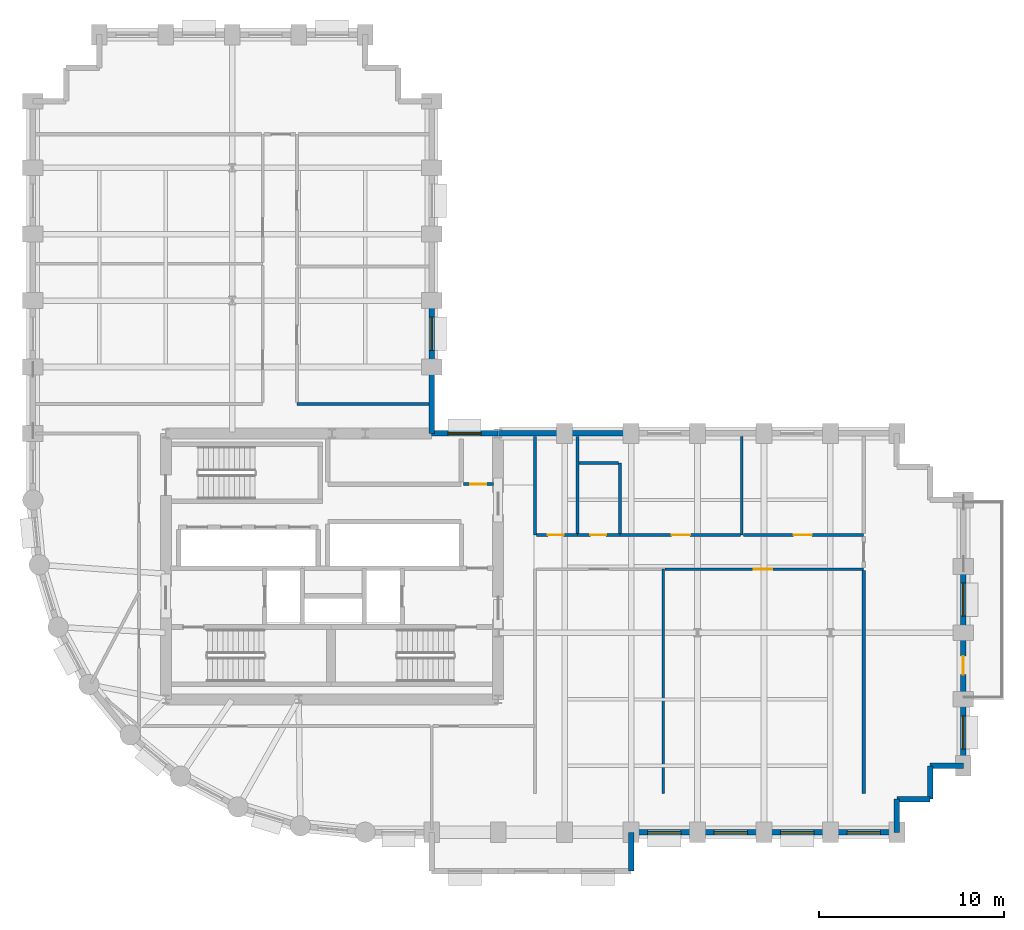
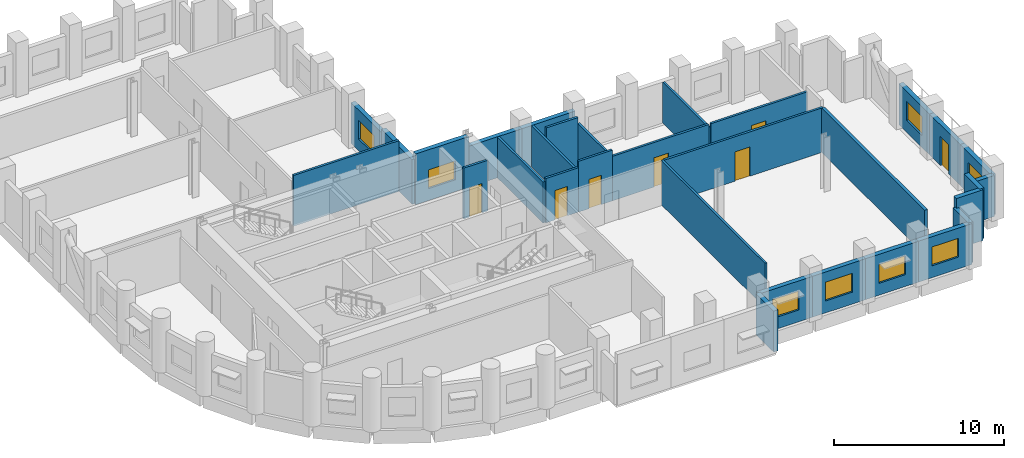
# One storey, part 5 of 10: 31 walls, 8 windows, 7 doors, 15 openings.
"""IFC4 building model written with IfcOpenShell, lengths in metres."""

from ifc_helpers import new_model, si_unit, direction, frame, frame_2d, origin, place, context, subcontext, project, spatial, rectangle, extrude, material, layer, layer_set, type_object, element, fill, save


model = new_model("IFC4")

# Units and contexts
model_context = context("Model", 3, precision=1e-05, world=origin(), true_north=direction((0.0, 1.0)))
body_context = subcontext(model_context, "Body", "Model", "MODEL_VIEW")
ifc_project = project(units=[si_unit("LENGTHUNIT", "METRE"), si_unit("AREAUNIT", "SQUARE_METRE"), si_unit("VOLUMEUNIT", "CUBIC_METRE"), si_unit("PLANEANGLEUNIT", "RADIAN"), si_unit("MASSUNIT", "GRAM", prefix="KILO")], contexts=[model_context])

# Site, building, storey
site_placement = place(None, origin())
site = spatial("IfcSite", under=ifc_project, at=site_placement, CompositionType="ELEMENT")
building_placement = place(site_placement, origin())
building = spatial("IfcBuilding", under=site, at=building_placement, Name="Solnavia Interchange Tower", CompositionType="ELEMENT")
storey_placement = place(building_placement, frame((0.0, 0.0, 103.5)))
storey = spatial("IfcBuildingStorey", under=building, at=storey_placement, Name="L25", CompositionType="ELEMENT", Elevation=103.5)

# Walls
ifc_material_1 = material(Name="Gypsum Acoustic Twin-Stud & Mineral Wool", Category="gypsum")
ifc_layer_1 = layer(ifc_material_1, 0.199951171875)
ifc_layer_set_1 = layer_set([ifc_layer_1], Name="Gypsum Acoustic Twin-Stud & Mineral Wool")
wall_type_1 = type_object("IfcWallType", Name="Wall-ApartmentParty-200", PredefinedType="PARTITIONING", material=ifc_layer_set_1)
wall_1_placement = place(storey_placement, frame((52.199951171875, 5.699951171875, 0.0), z_axis=(0.0, 0.0, 1.0), x_axis=(0.0, 1.0, 0.0)))
element("IfcWall", 1, at=wall_1_placement, inside=storey, type_object=wall_type_1, Name="PTW-L25-22 Interior partition wall", PredefinedType="PARTITIONING", context=body_context, shape_type="SweptSolid", body=[
    extrude(rectangle(XDim=12.071044921875, YDim=0.199951171875, at=frame_2d((6.03564453125, 0.0))), origin(), (0.0, 0.0, 1.0), 3.179931640625),
])
ifc_material_2 = material(Name="Concrete C40/50", Category="concrete")
ifc_layer_2 = layer(ifc_material_2, 0.300048828125)
ifc_layer_set_2 = layer_set([ifc_layer_2], Name="Concrete C40/50")
wall_type_2 = type_object("IfcWallType", Name="Wall-ExtSpandrel-300", PredefinedType="STANDARD", material=ifc_layer_set_2)
wall_2_placement = place(storey_placement, frame((39.60009765625, 3.60009765625, 0.0), z_axis=(0.0, 0.0, 1.0), x_axis=(0.0, -1.0, 0.0)))
element("IfcWall", 2, at=wall_2_placement, inside=storey, type_object=wall_type_2, Name="EXW-L25-06 Exterior precast spandrel wall", PredefinedType="STANDARD", context=body_context, shape_type="SweptSolid", body=[
    extrude(rectangle(XDim=2.10009765625, YDim=0.300048828125, at=frame_2d((1.050048828125, 0.0))), origin(), (0.0, 0.0, 1.0), 2.929931640625),
])

# Wall, opening, window
wall_3_placement = place(storey_placement, frame((43.199951171875, 3.60009765625, 0.0), z_axis=(0.0, 0.0, 1.0), x_axis=(-1.0, 0.0, 0.0)))
wall_3 = element("IfcWall", 3, at=wall_3_placement, inside=storey, type_object=wall_type_2, Name="EXW-L25-07 Exterior precast spandrel wall", PredefinedType="STANDARD", context=body_context, shape_type="SweptSolid", body=[
    extrude(rectangle(XDim=3.599853515625, YDim=0.300048828125, at=frame_2d((1.7998046875, 0.0))), origin(), (0.0, 0.0, 1.0), 2.929931640625),
])
opening_1_placement = place(wall_3_placement, frame((0.89990234375, 0.0, 0.85009765625)))
opening_1 = element("IfcOpeningElement", 4, at=opening_1_placement, cuts=wall_3, Name="Opening WIN-02", PredefinedType="OPENING", context=body_context, shape_type="SweptSolid", body=[
    extrude(rectangle(XDim=1.800048828125, YDim=1.35009765625, at=frame_2d((0.89990234375, 0.675048828125))), frame((0.0, 0.16015625, 0.0), z_axis=(0.0, -1.0, 0.0), x_axis=(1.0, 0.0, 0.0)), (0.0, 0.0, 1.0), 0.320068359375),
])
ifc_material_3 = material(Name="Thermal-Break Aluminium & Low-E Glass", Category="aluminium")
window_type = type_object("IfcWindowType", Name="Window-Ribbon-1800x1350", PartitioningType="SINGLE_PANEL", PredefinedType="WINDOW", material=ifc_material_3)
window_1_placement = place(opening_1_placement, origin())
window_1 = element("IfcWindow", 5, at=window_1_placement, inside=storey, type_object=window_type, Name="WIN-L25-07 Facade ribbon window", OverallHeight=1.35009765625, OverallWidth=1.800048828125, PartitioningType="SINGLE_PANEL", PredefinedType="WINDOW", context=body_context, shape_type="SweptSolid", body=[
    extrude(rectangle(XDim=1.800048828125, YDim=1.35009765625, at=frame_2d((0.89990234375, 0.675048828125))), frame((0.0, 0.030029296875, 0.0), z_axis=(0.0, -1.0, 0.0), x_axis=(1.0, 0.0, 0.0)), (0.0, 0.0, 1.0), 0.06005859375),
])
fill(opening_1, window_1)

wall_4_placement = place(storey_placement, frame((46.800048828125, 3.60009765625, 0.0), z_axis=(0.0, 0.0, 1.0), x_axis=(-1.0, 0.0, 0.0)))
wall_4 = element("IfcWall", 6, at=wall_4_placement, inside=storey, type_object=wall_type_2, Name="EXW-L25-08 Exterior precast spandrel wall", PredefinedType="STANDARD", context=body_context, shape_type="SweptSolid", body=[
    extrude(rectangle(XDim=3.60009765625, YDim=0.300048828125, at=frame_2d((1.800048828125, 0.0))), origin(), (0.0, 0.0, 1.0), 2.929931640625),
])
opening_2_placement = place(wall_4_placement, frame((0.89990234375, 0.0, 0.85009765625)))
opening_2 = element("IfcOpeningElement", 7, at=opening_2_placement, cuts=wall_4, Name="Opening WIN-02", PredefinedType="OPENING", context=body_context, shape_type="SweptSolid", body=[
    extrude(rectangle(XDim=1.800048828125, YDim=1.35009765625, at=frame_2d((0.89990234375, 0.675048828125))), frame((0.0, 0.16015625, 0.0), z_axis=(0.0, -1.0, 0.0), x_axis=(1.0, 0.0, 0.0)), (0.0, 0.0, 1.0), 0.320068359375),
])
window_2_placement = place(opening_2_placement, origin())
window_2 = element("IfcWindow", 8, at=window_2_placement, inside=storey, type_object=window_type, Name="WIN-L25-08 Facade ribbon window", OverallHeight=1.35009765625, OverallWidth=1.800048828125, PartitioningType="SINGLE_PANEL", PredefinedType="WINDOW", context=body_context, shape_type="SweptSolid", body=[
    extrude(rectangle(XDim=1.800048828125, YDim=1.35009765625, at=frame_2d((0.89990234375, 0.675048828125))), frame((0.0, 0.030029296875, 0.0), z_axis=(0.0, -1.0, 0.0), x_axis=(1.0, 0.0, 0.0)), (0.0, 0.0, 1.0), 0.06005859375),
])
fill(opening_2, window_2)

wall_5_placement = place(storey_placement, frame((50.39990234375, 3.60009765625, 0.0), z_axis=(0.0, 0.0, 1.0), x_axis=(-1.0, 0.0, 0.0)))
wall_5 = element("IfcWall", 9, at=wall_5_placement, inside=storey, type_object=wall_type_2, Name="EXW-L25-09 Exterior precast spandrel wall", PredefinedType="STANDARD", context=body_context, shape_type="SweptSolid", body=[
    extrude(rectangle(XDim=3.599853515625, YDim=0.300048828125, at=frame_2d((1.7998046875, 0.0))), origin(), (0.0, 0.0, 1.0), 2.929931640625),
])
opening_3_placement = place(wall_5_placement, frame((0.89990234375, 0.0, 0.85009765625)))
opening_3 = element("IfcOpeningElement", 10, at=opening_3_placement, cuts=wall_5, Name="Opening WIN-02", PredefinedType="OPENING", context=body_context, shape_type="SweptSolid", body=[
    extrude(rectangle(XDim=1.800048828125, YDim=1.35009765625, at=frame_2d((0.89990234375, 0.675048828125))), frame((0.0, 0.16015625, 0.0), z_axis=(0.0, -1.0, 0.0), x_axis=(1.0, 0.0, 0.0)), (0.0, 0.0, 1.0), 0.320068359375),
])
window_3_placement = place(opening_3_placement, origin())
window_3 = element("IfcWindow", 11, at=window_3_placement, inside=storey, type_object=window_type, Name="WIN-L25-09 Facade ribbon window", OverallHeight=1.35009765625, OverallWidth=1.800048828125, PartitioningType="SINGLE_PANEL", PredefinedType="WINDOW", context=body_context, shape_type="SweptSolid", body=[
    extrude(rectangle(XDim=1.800048828125, YDim=1.35009765625, at=frame_2d((0.89990234375, 0.675048828125))), frame((0.0, 0.030029296875, 0.0), z_axis=(0.0, -1.0, 0.0), x_axis=(1.0, 0.0, 0.0)), (0.0, 0.0, 1.0), 0.06005859375),
])
fill(opening_3, window_3)

wall_6_placement = place(storey_placement, frame((54.0, 3.60009765625, 0.0), z_axis=(0.0, 0.0, 1.0), x_axis=(-1.0, 0.0, 0.0)))
wall_6 = element("IfcWall", 12, at=wall_6_placement, inside=storey, type_object=wall_type_2, Name="EXW-L25-10 Exterior precast spandrel wall", PredefinedType="STANDARD", context=body_context, shape_type="SweptSolid", body=[
    extrude(rectangle(XDim=3.60009765625, YDim=0.300048828125, at=frame_2d((1.800048828125, 0.0))), origin(), (0.0, 0.0, 1.0), 2.929931640625),
])
opening_4_placement = place(wall_6_placement, frame((0.89990234375, 0.0, 0.85009765625)))
opening_4 = element("IfcOpeningElement", 13, at=opening_4_placement, cuts=wall_6, Name="Opening WIN-02", PredefinedType="OPENING", context=body_context, shape_type="SweptSolid", body=[
    extrude(rectangle(XDim=1.800048828125, YDim=1.35009765625, at=frame_2d((0.89990234375, 0.675048828125))), frame((0.0, 0.16015625, 0.0), z_axis=(0.0, -1.0, 0.0), x_axis=(1.0, 0.0, 0.0)), (0.0, 0.0, 1.0), 0.320068359375),
])
window_4_placement = place(opening_4_placement, origin())
window_4 = element("IfcWindow", 14, at=window_4_placement, inside=storey, type_object=window_type, Name="WIN-L25-10 Facade ribbon window", OverallHeight=1.35009765625, OverallWidth=1.800048828125, PartitioningType="SINGLE_PANEL", PredefinedType="WINDOW", context=body_context, shape_type="SweptSolid", body=[
    extrude(rectangle(XDim=1.800048828125, YDim=1.35009765625, at=frame_2d((0.89990234375, 0.675048828125))), frame((0.0, 0.030029296875, 0.0), z_axis=(0.0, -1.0, 0.0), x_axis=(1.0, 0.0, 0.0)), (0.0, 0.0, 1.0), 0.06005859375),
])
fill(opening_4, window_4)

# Walls
wall_7_placement = place(storey_placement, frame((54.0, 5.39990234375, 0.0), z_axis=(0.0, 0.0, 1.0), x_axis=(0.0, -1.0, 0.0)))
element("IfcWall", 15, at=wall_7_placement, inside=storey, type_object=wall_type_2, Name="EXW-L25-11 Exterior precast spandrel wall", PredefinedType="STANDARD", context=body_context, shape_type="SweptSolid", body=[
    extrude(rectangle(XDim=1.7998046875, YDim=0.300048828125, at=frame_2d((0.89990234375, 0.0))), origin(), (0.0, 0.0, 1.0), 2.929931640625),
])
for number, where, z_axis, x_axis, name in (
    (16, (55.800048828125, 5.39990234375, 0.0), (0.0, 0.0, 1.0), (-1.0, 0.0, 0.0), "EXW-L25-12 Exterior precast spandrel wall"),
    (17, (55.800048828125, 7.199951171875, 0.0), (0.0, 0.0, 1.0), (0.0, -1.0, 0.0), "EXW-L25-13 Exterior precast spandrel wall"),
):
    element("IfcWall", number, at=place(storey_placement, frame(where, z_axis=z_axis, x_axis=x_axis)), inside=storey, type_object=wall_type_2, Name=name, PredefinedType="STANDARD", context=body_context, shape_type="SweptSolid", body=[
        extrude(rectangle(XDim=1.800048828125, YDim=0.300048828125, at=frame_2d((0.89990234375, 0.0))), origin(), (0.0, 0.0, 1.0), 3.635009765625),
    ])
wall_8_placement = place(storey_placement, frame((57.60009765625, 7.199951171875, 0.0), z_axis=(0.0, 0.0, 1.0), x_axis=(-1.0, 0.0, 0.0)))
element("IfcWall", 18, at=wall_8_placement, inside=storey, type_object=wall_type_2, Name="EXW-L25-14 Exterior precast spandrel wall", PredefinedType="STANDARD", context=body_context, shape_type="SweptSolid", body=[
    extrude(rectangle(XDim=1.800048828125, YDim=0.300048828125, at=frame_2d((0.89990234375, 0.0))), origin(), (0.0, 0.0, 1.0), 2.929931640625),
])

# Wall, opening, window
wall_9_placement = place(storey_placement, frame((57.60009765625, 10.800048828125, 0.0), z_axis=(0.0, 0.0, 1.0), x_axis=(0.0, -1.0, 0.0)))
wall_9 = element("IfcWall", 19, at=wall_9_placement, inside=storey, type_object=wall_type_2, Name="EXW-L25-15 Exterior precast spandrel wall", PredefinedType="STANDARD", context=body_context, shape_type="SweptSolid", body=[
    extrude(rectangle(XDim=3.60009765625, YDim=0.300048828125, at=frame_2d((1.800048828125, 0.0))), origin(), (0.0, 0.0, 1.0), 2.929931640625),
])
opening_5_placement = place(wall_9_placement, frame((0.89990234375, 0.0, 0.85009765625)))
opening_5 = element("IfcOpeningElement", 20, at=opening_5_placement, cuts=wall_9, Name="Opening WIN-02", PredefinedType="OPENING", context=body_context, shape_type="SweptSolid", body=[
    extrude(rectangle(XDim=1.800048828125, YDim=1.35009765625, at=frame_2d((0.89990234375, 0.675048828125))), frame((0.0, 0.16015625, 0.0), z_axis=(0.0, -1.0, 0.0), x_axis=(1.0, 0.0, 0.0)), (0.0, 0.0, 1.0), 0.320068359375),
])
window_5_placement = place(opening_5_placement, origin())
window_5 = element("IfcWindow", 21, at=window_5_placement, inside=storey, type_object=window_type, Name="WIN-L25-15 Facade ribbon window", OverallHeight=1.35009765625, OverallWidth=1.800048828125, PartitioningType="SINGLE_PANEL", PredefinedType="WINDOW", context=body_context, shape_type="SweptSolid", body=[
    extrude(rectangle(XDim=1.800048828125, YDim=1.35009765625, at=frame_2d((0.89990234375, 0.675048828125))), frame((0.0, 0.030029296875, 0.0), z_axis=(0.0, -1.0, 0.0), x_axis=(1.0, 0.0, 0.0)), (0.0, 0.0, 1.0), 0.06005859375),
])
fill(opening_5, window_5)

# Wall, opening, door
wall_10_placement = place(storey_placement, frame((57.60009765625, 14.39990234375, 0.0), z_axis=(0.0, 0.0, 1.0), x_axis=(0.0, -1.0, 0.0)))
wall_10 = element("IfcWall", 22, at=wall_10_placement, inside=storey, type_object=wall_type_2, Name="EXW-L25-16 Exterior precast spandrel wall", PredefinedType="STANDARD", context=body_context, shape_type="SweptSolid", body=[
    extrude(rectangle(XDim=3.599853515625, YDim=0.300048828125, at=frame_2d((1.7998046875, 0.0))), origin(), (0.0, 0.0, 1.0), 2.929931640625),
])
opening_6_placement = place(wall_10_placement, frame((1.260986328125, 0.0, 0.0)))
opening_6 = element("IfcOpeningElement", 23, at=opening_6_placement, cuts=wall_10, Name="Opening EXD-05", PredefinedType="OPENING", context=body_context, shape_type="SweptSolid", body=[
    extrude(rectangle(XDim=1.0, YDim=2.10009765625, at=frame_2d((0.5, 1.050048828125))), frame((0.0, 0.16015625, 0.0), z_axis=(0.0, -1.0, 0.0), x_axis=(1.0, 0.0, 0.0)), (0.0, 0.0, 1.0), 0.320068359375),
])
ifc_material_4 = material(Name="Thermally Broken Aluminium & Laminated Glass", Category="aluminium")
door_type_1 = type_object("IfcDoorType", Name="Door-TerraceSingle-1000x2100", OperationType="SINGLE_SWING_LEFT", PredefinedType="DOOR", material=ifc_material_4)
door_1_placement = place(opening_6_placement, origin())
door_1 = element("IfcDoor", 24, at=door_1_placement, inside=storey, type_object=door_type_1, Name="EXD-L25-TER Spiral terrace glazed door", OperationType="SINGLE_SWING_LEFT", OverallHeight=2.10009765625, OverallWidth=1.0, PredefinedType="DOOR", context=body_context, shape_type="SweptSolid", body=[
    extrude(rectangle(XDim=1.0, YDim=2.10009765625, at=frame_2d((0.5, 1.050048828125))), frame((0.0, 0.02490234375, 0.0), z_axis=(0.0, -1.0, 0.0), x_axis=(1.0, 0.0, 0.0)), (0.0, 0.0, 1.0), 0.050048828125),
])
fill(opening_6, door_1)

# Wall, opening, window
wall_11_placement = place(storey_placement, frame((57.60009765625, 18.0, 0.0), z_axis=(0.0, 0.0, 1.0), x_axis=(0.0, -1.0, 0.0)))
wall_11 = element("IfcWall", 25, at=wall_11_placement, inside=storey, type_object=wall_type_2, Name="EXW-L25-17 Exterior precast spandrel wall", PredefinedType="STANDARD", context=body_context, shape_type="SweptSolid", body=[
    extrude(rectangle(XDim=3.60009765625, YDim=0.300048828125, at=frame_2d((1.800048828125, 0.0))), origin(), (0.0, 0.0, 1.0), 2.929931640625),
])
opening_7_placement = place(wall_11_placement, frame((0.89990234375, 0.0, 0.85009765625)))
opening_7 = element("IfcOpeningElement", 26, at=opening_7_placement, cuts=wall_11, Name="Opening WIN-02", PredefinedType="OPENING", context=body_context, shape_type="SweptSolid", body=[
    extrude(rectangle(XDim=1.800048828125, YDim=1.35009765625, at=frame_2d((0.89990234375, 0.675048828125))), frame((0.0, 0.16015625, 0.0), z_axis=(0.0, -1.0, 0.0), x_axis=(1.0, 0.0, 0.0)), (0.0, 0.0, 1.0), 0.320068359375),
])
window_6_placement = place(opening_7_placement, origin())
window_6 = element("IfcWindow", 27, at=window_6_placement, inside=storey, type_object=window_type, Name="WIN-L25-17 Facade ribbon window", OverallHeight=1.35009765625, OverallWidth=1.800048828125, PartitioningType="SINGLE_PANEL", PredefinedType="WINDOW", context=body_context, shape_type="SweptSolid", body=[
    extrude(rectangle(XDim=1.800048828125, YDim=1.35009765625, at=frame_2d((0.89990234375, 0.675048828125))), frame((0.0, 0.030029296875, 0.0), z_axis=(0.0, -1.0, 0.0), x_axis=(1.0, 0.0, 0.0)), (0.0, 0.0, 1.0), 0.06005859375),
])
fill(opening_7, window_6)

# Walls
for number, where, z_axis, x_axis, name in (
    (28, (36.0, 25.199951171875, 0.0), (0.0, 0.0, 1.0), (1.0, 0.0, 0.0), "EXW-L25-27 Exterior precast spandrel wall"),
    (29, (32.39990234375, 25.199951171875, 0.0), (0.0, 0.0, 1.0), (1.0, 0.0, 0.0), "EXW-L25-28 Exterior precast spandrel wall"),
):
    element("IfcWall", number, at=place(storey_placement, frame(where, z_axis=z_axis, x_axis=x_axis)), inside=storey, type_object=wall_type_2, Name=name, PredefinedType="STANDARD", context=body_context, shape_type="SweptSolid", body=[
        extrude(rectangle(XDim=3.60009765625, YDim=0.300048828125, at=frame_2d((1.800048828125, 0.0))), origin(), (0.0, 0.0, 1.0), 2.929931640625),
    ])

# Wall, opening, window
wall_12_placement = place(storey_placement, frame((28.800048828125, 25.199951171875, 0.0), z_axis=(0.0, 0.0, 1.0), x_axis=(1.0, 0.0, 0.0)))
wall_12 = element("IfcWall", 30, at=wall_12_placement, inside=storey, type_object=wall_type_2, Name="EXW-L25-29 Exterior precast spandrel wall", PredefinedType="STANDARD", context=body_context, shape_type="SweptSolid", body=[
    extrude(rectangle(XDim=3.599853515625, YDim=0.300048828125, at=frame_2d((1.7998046875, 0.0))), origin(), (0.0, 0.0, 1.0), 3.635009765625),
])
opening_8_placement = place(wall_12_placement, frame((0.8779296875, 0.0, 0.85009765625)))
opening_8 = element("IfcOpeningElement", 31, at=opening_8_placement, cuts=wall_12, Name="Opening WIN-02", PredefinedType="OPENING", context=body_context, shape_type="SweptSolid", body=[
    extrude(rectangle(XDim=1.800048828125, YDim=1.35009765625, at=frame_2d((0.89990234375, 0.675048828125))), frame((0.0, 0.16015625, 0.0), z_axis=(0.0, -1.0, 0.0), x_axis=(1.0, 0.0, 0.0)), (0.0, 0.0, 1.0), 0.320068359375),
])
window_7_placement = place(opening_8_placement, origin())
window_7 = element("IfcWindow", 32, at=window_7_placement, inside=storey, type_object=window_type, Name="WIN-L25-29 Facade ribbon window", OverallHeight=1.35009765625, OverallWidth=1.800048828125, PartitioningType="SINGLE_PANEL", PredefinedType="WINDOW", context=body_context, shape_type="SweptSolid", body=[
    extrude(rectangle(XDim=1.800048828125, YDim=1.35009765625, at=frame_2d((0.89990234375, 0.675048828125))), frame((0.0, 0.030029296875, 0.0), z_axis=(0.0, -1.0, 0.0), x_axis=(1.0, 0.0, 0.0)), (0.0, 0.0, 1.0), 0.06005859375),
])
fill(opening_8, window_7)

# Wall
wall_13_placement = place(storey_placement, frame((28.800048828125, 28.800048828125, 0.0), z_axis=(0.0, 0.0, 1.0), x_axis=(0.0, -1.0, 0.0)))
element("IfcWall", 33, at=wall_13_placement, inside=storey, type_object=wall_type_2, Name="EXW-L25-30 Exterior precast spandrel wall", PredefinedType="STANDARD", context=body_context, shape_type="SweptSolid", body=[
    extrude(rectangle(XDim=3.60009765625, YDim=0.300048828125, at=frame_2d((1.800048828125, 0.0))), origin(), (0.0, 0.0, 1.0), 3.18994140625),
])

# Wall, opening, window
wall_14_placement = place(storey_placement, frame((28.800048828125, 32.39990234375, 0.0), z_axis=(0.0, 0.0, 1.0), x_axis=(0.0, -1.0, 0.0)))
wall_14 = element("IfcWall", 34, at=wall_14_placement, inside=storey, type_object=wall_type_2, Name="EXW-L25-31 Exterior precast spandrel wall", PredefinedType="STANDARD", context=body_context, shape_type="SweptSolid", body=[
    extrude(rectangle(XDim=3.599853515625, YDim=0.300048828125, at=frame_2d((1.7998046875, 0.0))), origin(), (0.0, 0.0, 1.0), 2.929931640625),
])
opening_9_placement = place(wall_14_placement, frame((0.89990234375, 0.0, 0.85009765625)))
opening_9 = element("IfcOpeningElement", 35, at=opening_9_placement, cuts=wall_14, Name="Opening WIN-02", PredefinedType="OPENING", context=body_context, shape_type="SweptSolid", body=[
    extrude(rectangle(XDim=1.800048828125, YDim=1.35009765625, at=frame_2d((0.89990234375, 0.675048828125))), frame((0.0, 0.16015625, 0.0), z_axis=(0.0, -1.0, 0.0), x_axis=(1.0, 0.0, 0.0)), (0.0, 0.0, 1.0), 0.320068359375),
])
window_8_placement = place(opening_9_placement, origin())
window_8 = element("IfcWindow", 36, at=window_8_placement, inside=storey, type_object=window_type, Name="WIN-L25-31 Facade ribbon window", OverallHeight=1.35009765625, OverallWidth=1.800048828125, PartitioningType="SINGLE_PANEL", PredefinedType="WINDOW", context=body_context, shape_type="SweptSolid", body=[
    extrude(rectangle(XDim=1.800048828125, YDim=1.35009765625, at=frame_2d((0.89990234375, 0.675048828125))), frame((0.0, 0.030029296875, 0.0), z_axis=(0.0, -1.0, 0.0), x_axis=(1.0, 0.0, 0.0)), (0.0, 0.0, 1.0), 0.06005859375),
])
fill(opening_9, window_8)

# Wall, opening, door
ifc_material_5 = material(Name="Gypsum Plasterboard & Steel Stud", Category="steel")
ifc_layer_3 = layer(ifc_material_5, 0.14990234375)
ifc_layer_set_3 = layer_set([ifc_layer_3], Name="Gypsum Plasterboard & Steel Stud")
wall_type_3 = type_object("IfcWallType", Name="Wall-Partition-150", PredefinedType="PARTITIONING", material=ifc_layer_set_3)
wall_15_placement = place(storey_placement, frame((30.52001953125, 22.4599609375, 0.0), z_axis=(0.0, 0.0, 1.0), x_axis=(1.0, 0.0, 0.0)))
wall_15 = element("IfcWall", 37, at=wall_15_placement, inside=storey, type_object=wall_type_3, Name="CSW-L25-NE-S Core shaft wall", PredefinedType="PARTITIONING", context=body_context, shape_type="SweptSolid", body=[
    extrude(rectangle(XDim=1.6298828125, YDim=0.14990234375, at=frame_2d((0.81494140625, 0.0))), origin(), (0.0, 0.0, 1.0), 3.635009765625),
])
opening_10_placement = place(wall_15_placement, frame((0.3798828125, 0.0, 0.0)))
opening_10 = element("IfcOpeningElement", 38, at=opening_10_placement, cuts=wall_15, Name="Opening DR-10", PredefinedType="OPENING", context=body_context, shape_type="SweptSolid", body=[
    extrude(rectangle(XDim=0.85009765625, YDim=2.10009765625, at=frame_2d((0.425048828125, 1.050048828125))), frame((0.0, 0.0849609375, 0.0), z_axis=(0.0, -1.0, 0.0), x_axis=(1.0, 0.0, 0.0)), (0.0, 0.0, 1.0), 0.169921875),
])
ifc_material_6 = material(Name="Moisture-Resistant Timber Door", Category="wood")
door_type_2 = type_object("IfcDoorType", Name="Door-Bathroom-850x2100", OperationType="SINGLE_SWING_RIGHT", PredefinedType="DOOR", material=ifc_material_6)
door_2_placement = place(opening_10_placement, origin())
door_2 = element("IfcDoor", 39, at=door_2_placement, inside=storey, type_object=door_type_2, Name="DR-L25-CNE1 Core fire door", OperationType="SINGLE_SWING_RIGHT", OverallHeight=2.10009765625, OverallWidth=0.85009765625, PredefinedType="DOOR", context=body_context, shape_type="SweptSolid", body=[
    extrude(rectangle(XDim=0.85009765625, YDim=2.10009765625, at=frame_2d((0.425048828125, 1.050048828125))), frame((0.0, 0.02490234375, 0.0), z_axis=(0.0, -1.0, 0.0), x_axis=(1.0, 0.0, 0.0)), (0.0, 0.0, 1.0), 0.050048828125),
])
fill(opening_10, door_2)

# Wall
wall_16_placement = place(storey_placement, frame((41.35009765625, 5.699951171875, 0.0), z_axis=(0.0, 0.0, 1.0), x_axis=(0.0, 1.0, 0.0)))
element("IfcWall", 40, at=wall_16_placement, inside=storey, type_object=wall_type_3, Name="PTW-L25-16 Interior partition wall", PredefinedType="PARTITIONING", context=body_context, shape_type="SweptSolid", body=[
    extrude(rectangle(XDim=12.150146484375, YDim=0.14990234375, at=frame_2d((6.0751953125, 0.0))), origin(), (0.0, 0.0, 1.0), 3.179931640625),
])

# Wall, opening, door
wall_17_placement = place(storey_placement, frame((41.428955078125, 17.85009765625, 0.0), z_axis=(0.0, 0.0, 1.0), x_axis=(1.0, 0.0, 0.0)))
wall_17 = element("IfcWall", 41, at=wall_17_placement, inside=storey, type_object=wall_type_3, Name="PTW-L25-18 Interior partition wall", PredefinedType="PARTITIONING", context=body_context, shape_type="SweptSolid", body=[
    extrude(rectangle(XDim=10.77099609375, YDim=0.14990234375, at=frame_2d((5.385498046875, 0.0))), origin(), (0.0, 0.0, 1.0), 3.179931640625),
])
opening_11_placement = place(wall_17_placement, frame((4.805908203125, 0.0, 0.0)))
opening_11 = element("IfcOpeningElement", 42, at=opening_11_placement, cuts=wall_17, Name="Opening DR-07", PredefinedType="OPENING", context=body_context, shape_type="SweptSolid", body=[
    extrude(rectangle(XDim=1.0, YDim=2.10009765625, at=frame_2d((0.5, 1.050048828125))), frame((0.0, 0.0849609375, 0.0), z_axis=(0.0, -1.0, 0.0), x_axis=(1.0, 0.0, 0.0)), (0.0, 0.0, 1.0), 0.169921875),
])
ifc_material_7 = material(Name="Timber & Acoustic Glazed Office Door", Category="wood")
door_type_3 = type_object("IfcDoorType", Name="Door-Office-1000x2100", OperationType="SINGLE_SWING_RIGHT", PredefinedType="DOOR", material=ifc_material_7)
door_3_placement = place(opening_11_placement, origin())
door_3 = element("IfcDoor", 43, at=door_3_placement, inside=storey, type_object=door_type_3, Name="DR-L25-08 Interior room door", OperationType="SINGLE_SWING_RIGHT", OverallHeight=2.10009765625, OverallWidth=1.0, PredefinedType="DOOR", context=body_context, shape_type="SweptSolid", body=[
    extrude(rectangle(XDim=1.0, YDim=2.10009765625, at=frame_2d((0.5, 1.050048828125))), frame((0.0, 0.02490234375, 0.0), z_axis=(0.0, -1.0, 0.0), x_axis=(1.0, 0.0, 0.0)), (0.0, 0.0, 1.0), 0.050048828125),
])
fill(opening_11, door_3)

# Wall
wall_18_placement = place(storey_placement, frame((45.60009765625, 19.699951171875, 0.0), z_axis=(0.0, 0.0, 1.0), x_axis=(0.0, 1.0, 0.0)))
element("IfcWall", 44, at=wall_18_placement, inside=storey, type_object=wall_type_3, Name="PTW-L25-19 Interior partition wall", PredefinedType="PARTITIONING", context=body_context, shape_type="SweptSolid", body=[
    extrude(rectangle(XDim=5.345947265625, YDim=0.14990234375, at=frame_2d((2.6728515625, 0.0))), origin(), (0.0, 0.0, 1.0), 2.929931640625),
])

# Wall, opening, door
wall_19_placement = place(storey_placement, frame((39.0, 19.699951171875, 0.0), z_axis=(0.0, 0.0, 1.0), x_axis=(1.0, 0.0, 0.0)))
wall_19 = element("IfcWall", 45, at=wall_19_placement, inside=storey, type_object=wall_type_3, Name="PTW-L25-20 Interior partition wall", PredefinedType="PARTITIONING", context=body_context, shape_type="SweptSolid", body=[
    extrude(rectangle(XDim=6.52099609375, YDim=0.14990234375, at=frame_2d((3.260498046875, 0.0))), origin(), (0.0, 0.0, 1.0), 3.18994140625),
])
opening_12_placement = place(wall_19_placement, frame((2.800048828125, 0.0, 0.0)))
opening_12 = element("IfcOpeningElement", 46, at=opening_12_placement, cuts=wall_19, Name="Opening DR-07", PredefinedType="OPENING", context=body_context, shape_type="SweptSolid", body=[
    extrude(rectangle(XDim=1.0, YDim=2.10009765625, at=frame_2d((0.5, 1.050048828125))), frame((0.0, 0.0849609375, 0.0), z_axis=(0.0, -1.0, 0.0), x_axis=(1.0, 0.0, 0.0)), (0.0, 0.0, 1.0), 0.169921875),
])
door_4_placement = place(opening_12_placement, origin())
door_4 = element("IfcDoor", 47, at=door_4_placement, inside=storey, type_object=door_type_3, Name="DR-L25-09 Interior room door", OperationType="SINGLE_SWING_RIGHT", OverallHeight=2.10009765625, OverallWidth=1.0, PredefinedType="DOOR", context=body_context, shape_type="SweptSolid", body=[
    extrude(rectangle(XDim=1.0, YDim=2.10009765625, at=frame_2d((0.5, 1.050048828125))), frame((0.0, 0.02490234375, 0.0), z_axis=(0.0, -1.0, 0.0), x_axis=(1.0, 0.0, 0.0)), (0.0, 0.0, 1.0), 0.050048828125),
])
fill(opening_12, door_4)

wall_20_placement = place(storey_placement, frame((45.678955078125, 19.699951171875, 0.0), z_axis=(0.0, 0.0, 1.0), x_axis=(1.0, 0.0, 0.0)))
wall_20 = element("IfcWall", 48, at=wall_20_placement, inside=storey, type_object=wall_type_3, Name="PTW-L25-21 Interior partition wall", PredefinedType="PARTITIONING", context=body_context, shape_type="SweptSolid", body=[
    extrude(rectangle(XDim=6.52099609375, YDim=0.14990234375, at=frame_2d((3.260498046875, 0.0))), origin(), (0.0, 0.0, 1.0), 3.18994140625),
])
opening_13_placement = place(wall_20_placement, frame((2.720947265625, 0.0, 0.0)))
opening_13 = element("IfcOpeningElement", 49, at=opening_13_placement, cuts=wall_20, Name="Opening DR-07", PredefinedType="OPENING", context=body_context, shape_type="SweptSolid", body=[
    extrude(rectangle(XDim=1.0, YDim=2.10009765625, at=frame_2d((0.5, 1.050048828125))), frame((0.0, 0.0849609375, 0.0), z_axis=(0.0, -1.0, 0.0), x_axis=(1.0, 0.0, 0.0)), (0.0, 0.0, 1.0), 0.169921875),
])
door_5_placement = place(opening_13_placement, origin())
door_5 = element("IfcDoor", 50, at=door_5_placement, inside=storey, type_object=door_type_3, Name="DR-L25-10 Interior room door", OperationType="SINGLE_SWING_RIGHT", OverallHeight=2.10009765625, OverallWidth=1.0, PredefinedType="DOOR", context=body_context, shape_type="SweptSolid", body=[
    extrude(rectangle(XDim=1.0, YDim=2.10009765625, at=frame_2d((0.5, 1.050048828125))), frame((0.0, 0.02490234375, 0.0), z_axis=(0.0, -1.0, 0.0), x_axis=(1.0, 0.0, 0.0)), (0.0, 0.0, 1.0), 0.050048828125),
])
fill(opening_13, door_5)

# Walls
wall_21_placement = place(storey_placement, frame((21.5, 26.800048828125, 0.0), z_axis=(0.0, 0.0, 1.0), x_axis=(1.0, 0.0, 0.0)))
element("IfcWall", 51, at=wall_21_placement, inside=storey, type_object=wall_type_3, Name="PTW-L25-29 Interior partition wall", PredefinedType="PARTITIONING", context=body_context, shape_type="SweptSolid", body=[
    extrude(rectangle(XDim=7.14599609375, YDim=0.14990234375, at=frame_2d((3.572998046875, 0.0))), origin(), (0.0, 0.0, 1.0), 3.635009765625),
])
ifc_material_8 = material(Name="Moisture-Resistant Gypsum & Steel Stud", Category="steel")
ifc_layer_4 = layer(ifc_material_8, 0.14990234375)
ifc_layer_set_4 = layer_set([ifc_layer_4], Name="Moisture-Resistant Gypsum & Steel Stud")
wall_type_4 = type_object("IfcWallType", Name="Wall-WetRoom-150", PredefinedType="PARTITIONING", material=ifc_layer_set_4)
wall_22_placement = place(storey_placement, frame((34.39990234375, 19.699951171875, 0.0), z_axis=(0.0, 0.0, 1.0), x_axis=(0.0, 1.0, 0.0)))
element("IfcWall", 52, at=wall_22_placement, inside=storey, type_object=wall_type_4, Name="PTW-L25-01 Interior partition wall", PredefinedType="PARTITIONING", context=body_context, shape_type="SweptSolid", body=[
    extrude(rectangle(XDim=5.345947265625, YDim=0.14990234375, at=frame_2d((2.6728515625, 0.0))), origin(), (0.0, 0.0, 1.0), 2.929931640625),
])

# Wall, opening, door
wall_23_placement = place(storey_placement, frame((34.47900390625, 19.699951171875, 0.0), z_axis=(0.0, 0.0, 1.0), x_axis=(1.0, 0.0, 0.0)))
wall_23 = element("IfcWall", 53, at=wall_23_placement, inside=storey, type_object=wall_type_4, Name="PTW-L25-02 Interior partition wall", PredefinedType="PARTITIONING", context=body_context, shape_type="SweptSolid", body=[
    extrude(rectangle(XDim=2.220947265625, YDim=0.14990234375, at=frame_2d((1.1103515625, 0.0))), origin(), (0.0, 0.0, 1.0), 3.179931640625),
])
opening_14_placement = place(wall_23_placement, frame((0.617919921875, 0.0, 0.0)))
opening_14 = element("IfcOpeningElement", 54, at=opening_14_placement, cuts=wall_23, Name="Opening DR-10", PredefinedType="OPENING", context=body_context, shape_type="SweptSolid", body=[
    extrude(rectangle(XDim=0.85009765625, YDim=2.10009765625, at=frame_2d((0.425048828125, 1.050048828125))), frame((0.0, 0.0849609375, 0.0), z_axis=(0.0, -1.0, 0.0), x_axis=(1.0, 0.0, 0.0)), (0.0, 0.0, 1.0), 0.169921875),
])
door_6_placement = place(opening_14_placement, origin())
door_6 = element("IfcDoor", 55, at=door_6_placement, inside=storey, type_object=door_type_2, Name="DR-L25-01 Interior room door", OperationType="SINGLE_SWING_LEFT", OverallHeight=2.10009765625, OverallWidth=0.85009765625, PredefinedType="DOOR", context=body_context, shape_type="SweptSolid", body=[
    extrude(rectangle(XDim=0.85009765625, YDim=2.10009765625, at=frame_2d((0.425048828125, 1.050048828125))), frame((0.0, 0.02490234375, 0.0), z_axis=(0.0, -1.0, 0.0), x_axis=(1.0, 0.0, 0.0)), (0.0, 0.0, 1.0), 0.050048828125),
])
fill(opening_14, door_6)

# Wall
wall_24_placement = place(storey_placement, frame((36.699951171875, 19.779052734375, 0.0), z_axis=(0.0, 0.0, 1.0), x_axis=(0.0, 1.0, 0.0)))
element("IfcWall", 56, at=wall_24_placement, inside=storey, type_object=wall_type_4, Name="PTW-L25-03 Interior partition wall", PredefinedType="PARTITIONING", context=body_context, shape_type="SweptSolid", body=[
    extrude(rectangle(XDim=5.266845703125, YDim=0.14990234375, at=frame_2d((2.63330078125, 0.0))), origin(), (0.0, 0.0, 1.0), 2.929931640625),
])

# Wall, opening, door
wall_25_placement = place(storey_placement, frame((36.699951171875, 19.699951171875, 0.0), z_axis=(0.0, 0.0, 1.0), x_axis=(1.0, 0.0, 0.0)))
wall_25 = element("IfcWall", 57, at=wall_25_placement, inside=storey, type_object=wall_type_4, Name="PTW-L25-04 Interior partition wall", PredefinedType="PARTITIONING", context=body_context, shape_type="SweptSolid", body=[
    extrude(rectangle(XDim=2.300048828125, YDim=0.14990234375, at=frame_2d((1.14990234375, 0.0))), origin(), (0.0, 0.0, 1.0), 3.635009765625),
])
opening_15_placement = place(wall_25_placement, frame((0.697021484375, 0.0, 0.0)))
opening_15 = element("IfcOpeningElement", 58, at=opening_15_placement, cuts=wall_25, Name="Opening DR-10", PredefinedType="OPENING", context=body_context, shape_type="SweptSolid", body=[
    extrude(rectangle(XDim=0.85009765625, YDim=2.10009765625, at=frame_2d((0.425048828125, 1.050048828125))), frame((0.0, 0.0849609375, 0.0), z_axis=(0.0, -1.0, 0.0), x_axis=(1.0, 0.0, 0.0)), (0.0, 0.0, 1.0), 0.169921875),
])
door_7_placement = place(opening_15_placement, origin())
door_7 = element("IfcDoor", 59, at=door_7_placement, inside=storey, type_object=door_type_2, Name="DR-L25-02 Interior room door", OperationType="SINGLE_SWING_RIGHT", OverallHeight=2.10009765625, OverallWidth=0.85009765625, PredefinedType="DOOR", context=body_context, shape_type="SweptSolid", body=[
    extrude(rectangle(XDim=0.85009765625, YDim=2.10009765625, at=frame_2d((0.425048828125, 1.050048828125))), frame((0.0, 0.02490234375, 0.0), z_axis=(0.0, -1.0, 0.0), x_axis=(1.0, 0.0, 0.0)), (0.0, 0.0, 1.0), 0.050048828125),
])
fill(opening_15, door_7)

# Walls
wall_26_placement = place(storey_placement, frame((39.0, 19.779052734375, 0.0), z_axis=(0.0, 0.0, 1.0), x_axis=(0.0, 1.0, 0.0)))
element("IfcWall", 60, at=wall_26_placement, inside=storey, type_object=wall_type_4, Name="PTW-L25-05 Interior partition wall", PredefinedType="PARTITIONING", context=body_context, shape_type="SweptSolid", body=[
    extrude(rectangle(XDim=3.821044921875, YDim=0.14990234375, at=frame_2d((1.91064453125, 0.0))), origin(), (0.0, 0.0, 1.0), 3.179931640625),
])
wall_27_placement = place(storey_placement, frame((36.779052734375, 23.60009765625, 0.0), z_axis=(0.0, 0.0, 1.0), x_axis=(1.0, 0.0, 0.0)))
element("IfcWall", 61, at=wall_27_placement, inside=storey, type_object=wall_type_4, Name="PTW-L25-06 Interior partition wall", PredefinedType="PARTITIONING", context=body_context, shape_type="SweptSolid", body=[
    extrude(rectangle(XDim=2.141845703125, YDim=0.14990234375, at=frame_2d((1.07080078125, 0.0))), origin(), (0.0, 0.0, 1.0), 3.635009765625),
])

save(model, "model.ifc")
